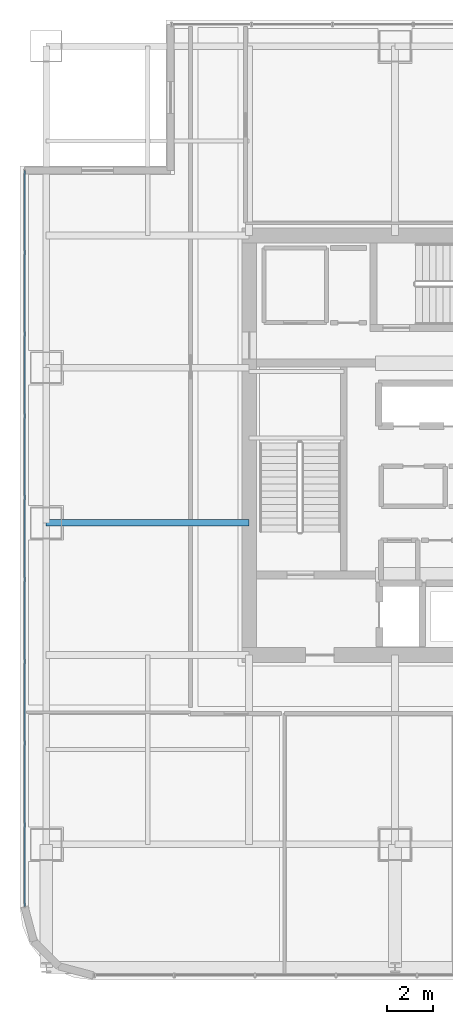
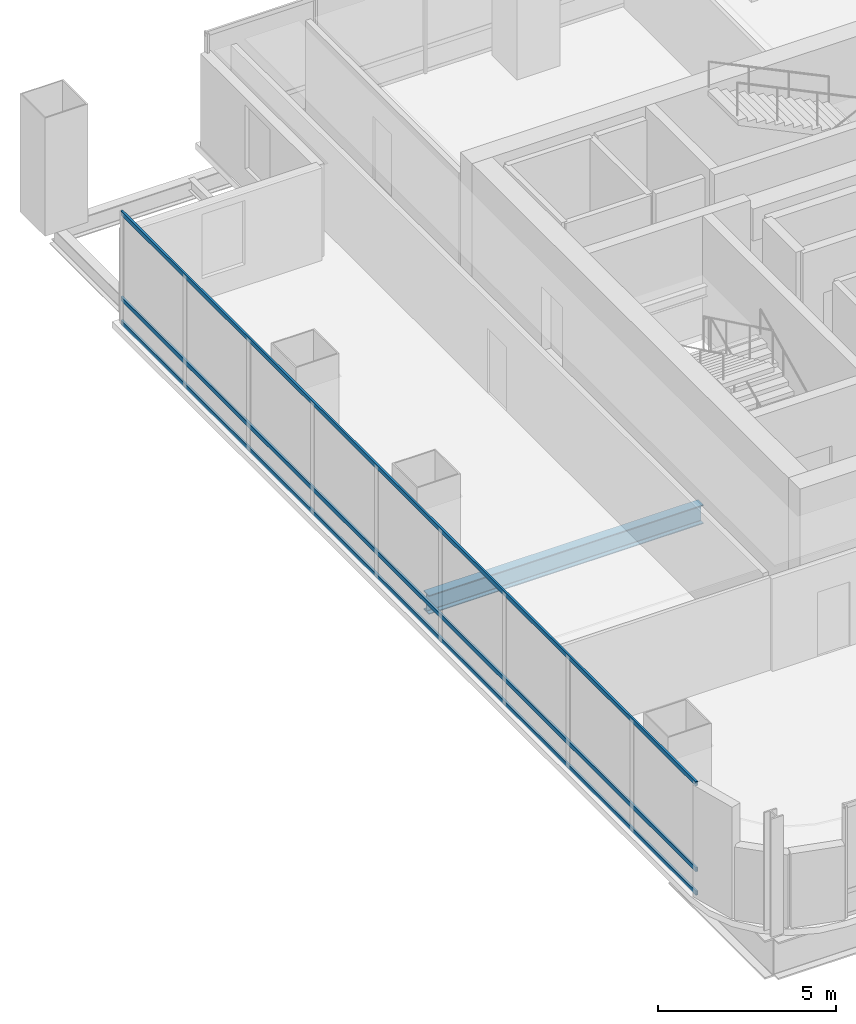
# One storey, part 10 of 36: 3 members, 1 beam, 1 element without a shape of its own.
"""IFC4 building model written with IfcOpenShell, lengths in metres."""

import ifcopenshell
import ifcopenshell.guid

model = None  # the IFC model being written
_history = None  # IfcOwnerHistory: only IFC2X3 demands one
_inside = {}  # id of a spatial element -> (the spatial element, [elements in it])
_under = {}  # id of a project, library or spatial element -> (it, [spatial elements below it])
_declared = {}  # id of a project -> (the project, [libraries it declares])
_typed = {}  # id of a type object -> (the type object, [elements of that type])
_made_of = {}  # id of a material, layer set ... -> (it, [elements and type objects made of it])


def new_model(schema):
    """Start an empty IFC model of exactly this schema.

    Asked for "IFC4X3", IfcOpenShell would pick the latest addendum, in which some entities
    have other attributes; the version numbers below select the first issue.
    IFC2X3 requires an IfcOwnerHistory on every rooted entity: one is made here for all.
    """
    global model, _history
    if schema == "IFC4X3":
        model = ifcopenshell.file(schema_version=(4, 3, 0, 0))
    else:
        model = ifcopenshell.file(schema=schema)
    _inside.clear()
    _under.clear()
    _declared.clear()
    _typed.clear()
    _made_of.clear()
    _history = None
    if model.schema == "IFC2X3":
        org = make("IfcOrganization", Name="unknown")
        user = make(
            "IfcPersonAndOrganization",
            ThePerson=make("IfcPerson", FamilyName="unknown"),
            TheOrganization=org,
        )
        app = make(
            "IfcApplication",
            ApplicationDeveloper=org,
            Version="unknown",
            ApplicationFullName="unknown",
            ApplicationIdentifier="unknown",
        )
        _history = make(
            "IfcOwnerHistory",
            OwningUser=user,
            OwningApplication=app,
            ChangeAction="ADDED",
            CreationDate=0,
        )
    return model


def make(cls, **values):
    """One entity of the class cls with the attributes given. An attribute that is None is left unset."""
    return model.create_entity(
        cls, **{name: value for name, value in values.items() if value is not None}
    )


def rooted(cls, **values):
    """An entity with a GlobalId (a new one), such as an element, a storey or a relation."""
    return make(cls, GlobalId=ifcopenshell.guid.new(), OwnerHistory=_history, **values)


def si_unit(unit_type, name, prefix=None):
    """IfcSIUnit, for example si_unit("LENGTHUNIT", "METRE", prefix="MILLI")."""
    return make("IfcSIUnit", UnitType=unit_type, Prefix=prefix, Name=name)


def assignment(units):
    """IfcUnitAssignment: the units of a project."""
    return None if units is None else make("IfcUnitAssignment", Units=units)


def point(xyz):
    """IfcCartesianPoint."""
    return None if xyz is None else make("IfcCartesianPoint", Coordinates=xyz)


def direction(xyz):
    """IfcDirection."""
    return None if xyz is None else make("IfcDirection", DirectionRatios=xyz)


def frame(location, z_axis=None, x_axis=None):
    """IfcAxis2Placement3D, a coordinate frame: its origin and axes. An axis left out is left unset."""
    return make(
        "IfcAxis2Placement3D",
        Location=point(location),
        Axis=direction(z_axis),
        RefDirection=direction(x_axis),
    )


def frame_2d(location, x_axis=None):
    """IfcAxis2Placement2D, a coordinate frame in the plane: its origin and x axis."""
    return make(
        "IfcAxis2Placement2D", Location=point(location), RefDirection=direction(x_axis)
    )


def origin():
    """The frame at (0, 0, 0) with its axes left unset."""
    return frame((0.0, 0.0, 0.0))


def origin_2d():
    """The frame at (0, 0) in the plane with its x axis left unset."""
    return frame_2d((0.0, 0.0))


def place(relative_to, where):
    """IfcLocalPlacement: puts the frame where relative to a parent placement (None: the world)."""
    return make(
        "IfcLocalPlacement", PlacementRelTo=relative_to, RelativePlacement=where
    )


def context(
    kind, dimensions, precision=None, world=None, true_north=None, identifier=None
):
    """IfcGeometricRepresentationContext, for example the 3D "Model" context."""
    return make(
        "IfcGeometricRepresentationContext",
        ContextIdentifier=identifier,
        ContextType=kind,
        CoordinateSpaceDimension=dimensions,
        Precision=precision,
        WorldCoordinateSystem=world,
        TrueNorth=true_north,
    )


def subcontext(parent, identifier, kind, view, scale=None):
    """IfcGeometricRepresentationSubContext, for example "Body" below "Model"."""
    return make(
        "IfcGeometricRepresentationSubContext",
        ContextIdentifier=identifier,
        ContextType=kind,
        ParentContext=parent,
        TargetScale=scale,
        TargetView=view,
    )


def project(units=None, contexts=None):
    """IfcProject with its units and contexts."""
    return rooted(
        "IfcProject",
        Name="project",
        RepresentationContexts=contexts,
        UnitsInContext=assignment(units),
    )


def spatial(cls, under=None, at=None, **own):
    """A site, building, storey or space (cls), placed at a placement, below another one or the project."""
    s = rooted(cls, ObjectPlacement=at, **own)
    if under is not None:
        _under.setdefault(under.id(), (under, []))[1].append(s)
    return s


def profile(cls, at=None, kind="AREA", **sizes):
    """A parametric profile (cls). Its sizes go by their IFC names, for example OverallWidth=200.0."""
    return make(cls, ProfileType=kind, Position=at, **sizes)


def hollow_rectangle(**sizes):
    """IfcRectangleHollowProfileDef."""
    return profile("IfcRectangleHollowProfileDef", **sizes)


def i_section(**sizes):
    """IfcIShapeProfileDef."""
    return profile("IfcIShapeProfileDef", **sizes)


def extrude(swept, where, along, depth):
    """IfcExtrudedAreaSolid: the profile swept, set in the frame where, extruded along a direction by depth."""
    return make(
        "IfcExtrudedAreaSolid",
        SweptArea=swept,
        Position=where,
        ExtrudedDirection=direction(along),
        Depth=depth,
    )


def shape(context_of_items, identifier, shape_type, items):
    """IfcShapeRepresentation: the items that make up one representation, for example the "Body"."""
    return make(
        "IfcShapeRepresentation",
        ContextOfItems=context_of_items,
        RepresentationIdentifier=identifier,
        RepresentationType=shape_type,
        Items=items,
    )


def material(Name=None, Category=None):
    """IfcMaterial."""
    return make("IfcMaterial", Name=Name, Category=Category)


def material_profile(
    of_material, cross_section, Name=None, Category=None, Priority=None
):
    """IfcMaterialProfile: a cross section and its material."""
    return make(
        "IfcMaterialProfile",
        Name=Name,
        Material=of_material,
        Profile=cross_section,
        Priority=Priority,
        Category=Category,
    )


def profile_set(profiles, Name=None, composite=None):
    """IfcMaterialProfileSet."""
    return make(
        "IfcMaterialProfileSet",
        Name=Name,
        MaterialProfiles=profiles,
        CompositeProfile=composite,
    )


def made_of(thing, what):
    """Note that an element or type object is made of a material, layer set ...; save() writes the relation."""
    if what is not None:
        _made_of.setdefault(what.id(), (what, []))[1].append(thing)
    return thing


def type_object(cls, material=None, **own):
    """A type object (cls), such as IfcWallType, which elements share."""
    return made_of(rooted(cls, **own), material)


def element(
    cls,
    number,
    at=None,
    inside=None,
    cuts=None,
    type_object=None,
    material=None,
    context=None,
    identifier="Body",
    shape_type=None,
    held_by="IfcProductDefinitionShape",
    body=None,
    shapes=None,
    **own,
):
    """One element of the class cls, such as IfcWall. Its Tag is "e" and its number.

    at: its placement. inside: the storey or other place that contains it. cuts: it is an
    opening in that element (IfcRelVoidsElement). A single representation is given by context,
    identifier, shape_type and body (its items); several are given by shapes. held_by: the class
    of the entity that holds the representations. save() writes the other relations.
    """
    e = rooted(cls, Tag="e%d" % number, ObjectPlacement=at, **own)
    if body is not None:
        shapes = [shape(context, identifier, shape_type, body)]
    if shapes is not None:
        e.Representation = make(held_by, Representations=shapes)
    if inside is not None:
        _inside.setdefault(inside.id(), (inside, []))[1].append(e)
    if cuts is not None:
        rooted(
            "IfcRelVoidsElement", RelatingBuildingElement=cuts, RelatedOpeningElement=e
        )
    if type_object is not None:
        _typed.setdefault(type_object.id(), (type_object, []))[1].append(e)
    return made_of(e, material)


def aggregate(whole, parts):
    """IfcRelAggregates: a whole, such as a stair, and the parts it consists of."""
    return rooted("IfcRelAggregates", RelatingObject=whole, RelatedObjects=parts)


def save(model, path):
    """Write the relations noted so far, then the file.

    IfcRelAggregates (storeys below a building ...), IfcRelContainedInSpatialStructure (elements
    in a storey), IfcRelDefinesByType, IfcRelAssociatesMaterial and IfcRelDeclares: one each for
    every whole, place, type object, material and project.
    """
    for whole, parts in _under.values():
        aggregate(whole, parts)
    for where, things in _inside.values():
        rooted(
            "IfcRelContainedInSpatialStructure",
            RelatedElements=things,
            RelatingStructure=where,
        )
    for kind, things in _typed.values():
        rooted("IfcRelDefinesByType", RelatedObjects=things, RelatingType=kind)
    for what, things in _made_of.values():
        rooted("IfcRelAssociatesMaterial", RelatedObjects=things, RelatingMaterial=what)
    for by, libraries in _declared.values():
        rooted("IfcRelDeclares", RelatingContext=by, RelatedDefinitions=libraries)
    model.write(path)


model = new_model("IFC4")

# Units and contexts
model_context = context("Model", 3, precision=1e-05, world=origin(), true_north=direction((0.0, 1.0)))
body_context = subcontext(model_context, "Body", "Model", "MODEL_VIEW")
ifc_project = project(units=[si_unit("LENGTHUNIT", "METRE"), si_unit("AREAUNIT", "SQUARE_METRE"), si_unit("VOLUMEUNIT", "CUBIC_METRE"), si_unit("PLANEANGLEUNIT", "RADIAN"), si_unit("MASSUNIT", "GRAM", prefix="KILO")], contexts=[model_context])

# Site, building, storey
site_placement = place(None, origin())
site = spatial("IfcSite", under=ifc_project, at=site_placement, CompositionType="ELEMENT")
building_placement = place(site_placement, origin())
building = spatial("IfcBuilding", under=site, at=building_placement, Name="Punatoya Terracotta Tower", CompositionType="ELEMENT")
storey_placement = place(building_placement, frame((0.0, 0.0, 228.89990234375)))
storey = spatial("IfcBuildingStorey", under=building, at=storey_placement, Name="L54", CompositionType="ELEMENT", Elevation=228.89990234375)

# Beam
ifc_material_1 = material(Name="Steel S355", Category="steel")
ifc_material_profile_1 = material_profile(ifc_material_1, i_section(OverallWidth=0.300048828125, OverallDepth=0.64990234375, WebThickness=0.01611328125, FlangeThickness=0.031005859375, FilletRadius=0.01806640625, at=origin_2d()))
ifc_profile_set_1 = profile_set([ifc_material_profile_1], Name="Steel S355")
beam_type = type_object("IfcBeamType", Name="BM-PRI-650", PredefinedType="BEAM", material=ifc_profile_set_1)
beam_placement = place(storey_placement, frame((-19.10009765625, -3.39990234375, -0.544921875), z_axis=(1.0, 0.0, 0.0), x_axis=(0.0, 1.0, 0.0)))
element("IfcBeam", 1, at=beam_placement, inside=storey, type_object=beam_type, Name="BM-L54-PR-WD", PredefinedType="BEAM", context=body_context, shape_type="SweptSolid", body=[
    extrude(i_section(OverallWidth=0.300048828125, OverallDepth=0.64990234375, WebThickness=0.01611328125, FlangeThickness=0.031005859375, FilletRadius=0.01806640625, at=origin_2d()), origin(), (0.0, 0.0, 1.0), 8.900146484375),
])

# Curtain wall, members
ifc_material_2 = material(Name="Aluminium 6063-T6 + Double Low-E Glass", Category="aluminium")
curtain_wall_type = type_object("IfcCurtainWallType", Name="CW-M2", PredefinedType="NOTDEFINED", material=ifc_material_2)
curtain_wall_placement = place(storey_placement, origin())
curtain_wall = element("IfcCurtainWall", 2, at=curtain_wall_placement, inside=storey, type_object=curtain_wall_type, Name="L54 Curtain Wall CW-L54-W11-1", PredefinedType="NOTDEFINED")
ifc_material_3 = material(Name="Aluminium 6063-T6", Category="aluminium")
ifc_material_profile_2 = material_profile(ifc_material_3, hollow_rectangle(XDim=0.068115234375, YDim=0.14990234375, WallThickness=0.00390625, at=origin_2d()))
ifc_profile_set_2 = profile_set([ifc_material_profile_2], Name="Aluminium 6063-T6")
member_type = type_object("IfcMemberType", Name="CW-TRN-TYP", PredefinedType="USERDEFINED", material=ifc_profile_set_2)
member_1_placement = place(storey_placement, frame((-20.050048828125, 12.050048828125, 0.0400390625), z_axis=(0.0, -1.0, 0.0), x_axis=(1.0, 0.0, 0.0)))
member_1 = element("IfcMember", 3, at=member_1_placement, type_object=member_type, Name="CW-L54-W11-1 Transom 1", ObjectType="TRANSOM", PredefinedType="USERDEFINED", context=body_context, shape_type="SweptSolid", body=[
    extrude(hollow_rectangle(XDim=0.068115234375, YDim=0.14990234375, WallThickness=0.00390625, at=origin_2d()), origin(), (0.0, 0.0, 1.0), 32.286865234375),
])
member_2_placement = place(storey_placement, frame((-20.050048828125, 12.050048828125, 0.85009765625), z_axis=(0.0, -1.0, 0.0), x_axis=(1.0, 0.0, 0.0)))
member_2 = element("IfcMember", 4, at=member_2_placement, type_object=member_type, Name="CW-L54-W11-1 Transom 2", ObjectType="TRANSOM", PredefinedType="USERDEFINED", context=body_context, shape_type="SweptSolid", body=[
    extrude(hollow_rectangle(XDim=0.068115234375, YDim=0.14990234375, WallThickness=0.00390625, at=origin_2d()), origin(), (0.0, 0.0, 1.0), 32.286865234375),
])
member_3_placement = place(storey_placement, frame((-20.050048828125, 12.050048828125, 3.7900390625), z_axis=(0.0, -1.0, 0.0), x_axis=(1.0, 0.0, 0.0)))
member_3 = element("IfcMember", 5, at=member_3_placement, type_object=member_type, Name="CW-L54-W11-1 Transom 3", ObjectType="TRANSOM", PredefinedType="USERDEFINED", context=body_context, shape_type="SweptSolid", body=[
    extrude(hollow_rectangle(XDim=0.068115234375, YDim=0.14990234375, WallThickness=0.00390625, at=origin_2d()), origin(), (0.0, 0.0, 1.0), 32.286865234375),
])
aggregate(curtain_wall, [member_1, member_2, member_3])

save(model, "model.ifc")
